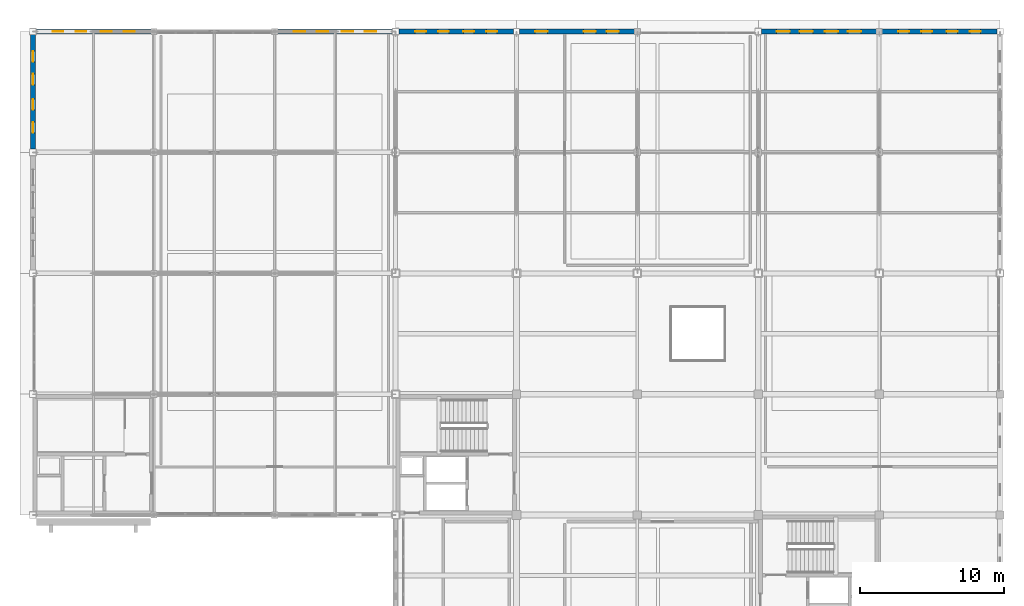
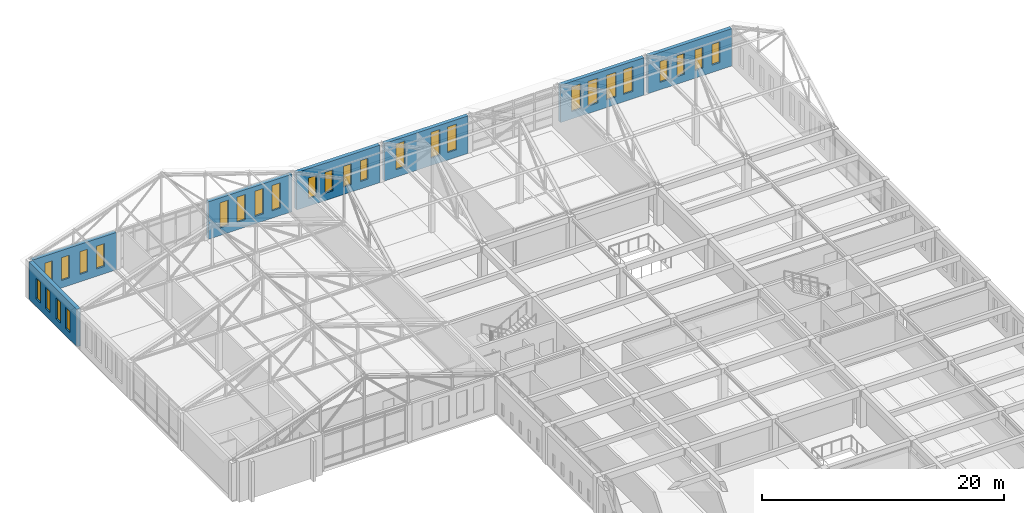
# One storey, part 49 of 56: 27 windows, 7 walls, 27 openings.
"""IFC4 building model written with IfcOpenShell, lengths in metres."""

from ifc_helpers import new_model, si_unit, direction, frame, frame_2d, origin, place, context, subcontext, project, spatial, rectangle, extrude, material, layer, layer_set, type_object, element, fill, save


model = new_model("IFC4")

# Units and contexts
model_context = context("Model", 3, precision=1e-05, world=origin(), true_north=direction((0.0, 1.0)))
body_context = subcontext(model_context, "Body", "Model", "MODEL_VIEW")
ifc_project = project(units=[si_unit("LENGTHUNIT", "METRE"), si_unit("AREAUNIT", "SQUARE_METRE"), si_unit("VOLUMEUNIT", "CUBIC_METRE"), si_unit("PLANEANGLEUNIT", "RADIAN"), si_unit("MASSUNIT", "GRAM", prefix="KILO")], contexts=[model_context])

# Site, building, storey
site_placement = place(None, origin())
site = spatial("IfcSite", under=ifc_project, at=site_placement, CompositionType="ELEMENT")
building_placement = place(site_placement, origin())
building = spatial("IfcBuilding", under=site, at=building_placement, Name="Kveldsbrygga Polytechnic", CompositionType="ELEMENT")
storey_placement = place(building_placement, frame((0.0, 0.0, 18.02001953125)))
storey = spatial("IfcBuildingStorey", under=building, at=storey_placement, Name="L04", CompositionType="ELEMENT", Elevation=18.02001953125)

# Wall, openings, windows
ifc_material_1 = material(Name="Fired clay brick masonry M10", Category="masonry")
ifc_layer = layer(ifc_material_1, 0.360107421875)
ifc_layer_set = layer_set([ifc_layer], Name="Fired clay brick masonry M10")
wall_type = type_object("IfcWallType", Name="EW-BRICK-360", PredefinedType="SOLIDWALL", material=ifc_layer_set)
wall_1_placement = place(storey_placement, frame((101.02490234375, 117.60009765625, 0.0), z_axis=(0.0, 0.0, 1.0), x_axis=(1.0, 0.0, 0.0)))
wall_1 = element("IfcWall", 1, at=wall_1_placement, inside=storey, type_object=wall_type, Name="Exterior Brick Wall EW-L04-X-12-14", PredefinedType="SOLIDWALL", context=body_context, shape_type="SweptSolid", body=[
    extrude(rectangle(XDim=7.97998046875, YDim=0.360107421875, at=frame_2d((3.989990234375, 0.0))), origin(), (0.0, 0.0, 1.0), 3.780029296875),
])
opening_1_placement = place(wall_1_placement, frame((1.146240234375, 0.0, 0.75)))
opening_1 = element("IfcOpeningElement", 2, at=opening_1_placement, cuts=wall_1, Name="Opening W-04", PredefinedType="OPENING", context=body_context, shape_type="SweptSolid", body=[
    extrude(rectangle(XDim=0.739990234375, YDim=2.300048828125, at=frame_2d((0.3701171875, 1.14990234375))), frame((0.0, 0.18994140625, 0.0), z_axis=(0.0, -1.0, 0.0), x_axis=(1.0, 0.0, 0.0)), (0.0, 0.0, 1.0), 0.380126953125),
])
opening_2_placement = place(wall_1_placement, frame((2.7421875, 0.0, 0.75)))
opening_2 = element("IfcOpeningElement", 3, at=opening_2_placement, cuts=wall_1, Name="Opening W-04", PredefinedType="OPENING", context=body_context, shape_type="SweptSolid", body=[
    extrude(rectangle(XDim=0.739990234375, YDim=2.300048828125, at=frame_2d((0.3701171875, 1.14990234375))), frame((0.0, 0.18994140625, 0.0), z_axis=(0.0, -1.0, 0.0), x_axis=(1.0, 0.0, 0.0)), (0.0, 0.0, 1.0), 0.380126953125),
])
opening_3_placement = place(wall_1_placement, frame((4.497802734375, 0.0, 0.75)))
opening_3 = element("IfcOpeningElement", 4, at=opening_3_placement, cuts=wall_1, Name="Opening W-04", PredefinedType="OPENING", context=body_context, shape_type="SweptSolid", body=[
    extrude(rectangle(XDim=0.739990234375, YDim=2.300048828125, at=frame_2d((0.3701171875, 1.14990234375))), frame((0.0, 0.18994140625, 0.0), z_axis=(0.0, -1.0, 0.0), x_axis=(1.0, 0.0, 0.0)), (0.0, 0.0, 1.0), 0.380126953125),
])
opening_4_placement = place(wall_1_placement, frame((6.09375, 0.0, 0.75)))
opening_4 = element("IfcOpeningElement", 5, at=opening_4_placement, cuts=wall_1, Name="Opening W-04", PredefinedType="OPENING", context=body_context, shape_type="SweptSolid", body=[
    extrude(rectangle(XDim=0.739990234375, YDim=2.300048828125, at=frame_2d((0.3701171875, 1.14990234375))), frame((0.0, 0.18994140625, 0.0), z_axis=(0.0, -1.0, 0.0), x_axis=(1.0, 0.0, 0.0)), (0.0, 0.0, 1.0), 0.380126953125),
])
ifc_material_2 = material(Name="Insulated triple low-E glass", Category="glass")
window_type_1 = type_object("IfcWindowType", Name="WN-LANC-074x230", PartitioningType="DOUBLE_PANEL_VERTICAL", PredefinedType="WINDOW", material=ifc_material_2)
window_1_placement = place(opening_1_placement, origin())
window_1 = element("IfcWindow", 6, at=window_1_placement, inside=storey, type_object=window_type_1, Name="Gothic Lancet Window WIN-L04-X-12-14-1", OverallHeight=2.300048828125, OverallWidth=0.739990234375, PartitioningType="DOUBLE_PANEL_VERTICAL", PredefinedType="WINDOW", context=body_context, shape_type="SweptSolid", body=[
    extrude(rectangle(XDim=0.739990234375, YDim=2.300048828125, at=frame_2d((0.3701171875, 1.14990234375))), frame((0.0, 0.030029296875, 0.0), z_axis=(0.0, -1.0, 0.0), x_axis=(1.0, 0.0, 0.0)), (0.0, 0.0, 1.0), 0.06005859375),
])
fill(opening_1, window_1)
window_2_placement = place(opening_2_placement, origin())
window_2 = element("IfcWindow", 7, at=window_2_placement, inside=storey, type_object=window_type_1, Name="Gothic Lancet Window WIN-L04-X-12-14-2", OverallHeight=2.300048828125, OverallWidth=0.739990234375, PartitioningType="DOUBLE_PANEL_VERTICAL", PredefinedType="WINDOW", context=body_context, shape_type="SweptSolid", body=[
    extrude(rectangle(XDim=0.739990234375, YDim=2.300048828125, at=frame_2d((0.3701171875, 1.14990234375))), frame((0.0, 0.030029296875, 0.0), z_axis=(0.0, -1.0, 0.0), x_axis=(1.0, 0.0, 0.0)), (0.0, 0.0, 1.0), 0.06005859375),
])
fill(opening_2, window_2)
window_3_placement = place(opening_3_placement, origin())
window_3 = element("IfcWindow", 8, at=window_3_placement, inside=storey, type_object=window_type_1, Name="Gothic Lancet Window WIN-L04-X-12-14-3", OverallHeight=2.300048828125, OverallWidth=0.739990234375, PartitioningType="DOUBLE_PANEL_VERTICAL", PredefinedType="WINDOW", context=body_context, shape_type="SweptSolid", body=[
    extrude(rectangle(XDim=0.739990234375, YDim=2.300048828125, at=frame_2d((0.3701171875, 1.14990234375))), frame((0.0, 0.030029296875, 0.0), z_axis=(0.0, -1.0, 0.0), x_axis=(1.0, 0.0, 0.0)), (0.0, 0.0, 1.0), 0.06005859375),
])
fill(opening_3, window_3)
window_4_placement = place(opening_4_placement, origin())
window_4 = element("IfcWindow", 9, at=window_4_placement, inside=storey, type_object=window_type_1, Name="Gothic Lancet Window WIN-L04-X-12-14-4", OverallHeight=2.300048828125, OverallWidth=0.739990234375, PartitioningType="DOUBLE_PANEL_VERTICAL", PredefinedType="WINDOW", context=body_context, shape_type="SweptSolid", body=[
    extrude(rectangle(XDim=0.739990234375, YDim=2.300048828125, at=frame_2d((0.3701171875, 1.14990234375))), frame((0.0, 0.030029296875, 0.0), z_axis=(0.0, -1.0, 0.0), x_axis=(1.0, 0.0, 0.0)), (0.0, 0.0, 1.0), 0.06005859375),
])
fill(opening_4, window_4)

wall_2_placement = place(storey_placement, frame((100.800048828125, 109.425048828125, 0.0), z_axis=(0.0, 0.0, 1.0), x_axis=(0.0, 1.0, 0.0)))
wall_2 = element("IfcWall", 10, at=wall_2_placement, inside=storey, type_object=wall_type, Name="Exterior Brick Wall EW-L04-Y-12-13", PredefinedType="SOLIDWALL", context=body_context, shape_type="SweptSolid", body=[
    extrude(rectangle(XDim=7.949951171875, YDim=0.360107421875, at=frame_2d((3.97509765625, 0.0))), origin(), (0.0, 0.0, 1.0), 3.780029296875),
])
opening_5_placement = place(wall_2_placement, frame((1.135498046875, 0.0, 0.75)))
opening_5 = element("IfcOpeningElement", 11, at=opening_5_placement, cuts=wall_2, Name="Opening W-27", PredefinedType="OPENING", context=body_context, shape_type="SweptSolid", body=[
    extrude(rectangle(XDim=0.75, YDim=2.10009765625, at=frame_2d((0.375, 1.050048828125))), frame((0.0, 0.18994140625, 0.0), z_axis=(0.0, -1.0, 0.0), x_axis=(1.0, 0.0, 0.0)), (0.0, 0.0, 1.0), 0.380126953125),
])
opening_6_placement = place(wall_2_placement, frame((2.7255859375, 0.0, 0.75)))
opening_6 = element("IfcOpeningElement", 12, at=opening_6_placement, cuts=wall_2, Name="Opening W-27", PredefinedType="OPENING", context=body_context, shape_type="SweptSolid", body=[
    extrude(rectangle(XDim=0.75, YDim=2.10009765625, at=frame_2d((0.375, 1.050048828125))), frame((0.0, 0.18994140625, 0.0), z_axis=(0.0, -1.0, 0.0), x_axis=(1.0, 0.0, 0.0)), (0.0, 0.0, 1.0), 0.380126953125),
])
opening_7_placement = place(wall_2_placement, frame((4.474609375, 0.0, 0.75)))
opening_7 = element("IfcOpeningElement", 13, at=opening_7_placement, cuts=wall_2, Name="Opening W-27", PredefinedType="OPENING", context=body_context, shape_type="SweptSolid", body=[
    extrude(rectangle(XDim=0.75, YDim=2.10009765625, at=frame_2d((0.375, 1.050048828125))), frame((0.0, 0.18994140625, 0.0), z_axis=(0.0, -1.0, 0.0), x_axis=(1.0, 0.0, 0.0)), (0.0, 0.0, 1.0), 0.380126953125),
])
opening_8_placement = place(wall_2_placement, frame((6.064453125, 0.0, 0.75)))
opening_8 = element("IfcOpeningElement", 14, at=opening_8_placement, cuts=wall_2, Name="Opening W-27", PredefinedType="OPENING", context=body_context, shape_type="SweptSolid", body=[
    extrude(rectangle(XDim=0.75, YDim=2.10009765625, at=frame_2d((0.375, 1.050048828125))), frame((0.0, 0.18994140625, 0.0), z_axis=(0.0, -1.0, 0.0), x_axis=(1.0, 0.0, 0.0)), (0.0, 0.0, 1.0), 0.380126953125),
])
window_type_2 = type_object("IfcWindowType", Name="WN-ATTIC-075x210", PartitioningType="DOUBLE_PANEL_VERTICAL", PredefinedType="WINDOW", material=ifc_material_2)
window_5_placement = place(opening_5_placement, origin())
window_5 = element("IfcWindow", 15, at=window_5_placement, inside=storey, type_object=window_type_2, Name="Gothic Lancet Window WIN-L04-Y-12-13-1", OverallHeight=2.10009765625, OverallWidth=0.75, PartitioningType="DOUBLE_PANEL_VERTICAL", PredefinedType="WINDOW", context=body_context, shape_type="SweptSolid", body=[
    extrude(rectangle(XDim=0.75, YDim=2.10009765625, at=frame_2d((0.375, 1.050048828125))), frame((0.0, 0.030029296875, 0.0), z_axis=(0.0, -1.0, 0.0), x_axis=(1.0, 0.0, 0.0)), (0.0, 0.0, 1.0), 0.06005859375),
])
fill(opening_5, window_5)
window_6_placement = place(opening_6_placement, origin())
window_6 = element("IfcWindow", 16, at=window_6_placement, inside=storey, type_object=window_type_2, Name="Gothic Lancet Window WIN-L04-Y-12-13-2", OverallHeight=2.10009765625, OverallWidth=0.75, PartitioningType="DOUBLE_PANEL_VERTICAL", PredefinedType="WINDOW", context=body_context, shape_type="SweptSolid", body=[
    extrude(rectangle(XDim=0.75, YDim=2.10009765625, at=frame_2d((0.375, 1.050048828125))), frame((0.0, 0.030029296875, 0.0), z_axis=(0.0, -1.0, 0.0), x_axis=(1.0, 0.0, 0.0)), (0.0, 0.0, 1.0), 0.06005859375),
])
fill(opening_6, window_6)
window_7_placement = place(opening_7_placement, origin())
window_7 = element("IfcWindow", 17, at=window_7_placement, inside=storey, type_object=window_type_2, Name="Gothic Lancet Window WIN-L04-Y-12-13-3", OverallHeight=2.10009765625, OverallWidth=0.75, PartitioningType="DOUBLE_PANEL_VERTICAL", PredefinedType="WINDOW", context=body_context, shape_type="SweptSolid", body=[
    extrude(rectangle(XDim=0.75, YDim=2.10009765625, at=frame_2d((0.375, 1.050048828125))), frame((0.0, 0.030029296875, 0.0), z_axis=(0.0, -1.0, 0.0), x_axis=(1.0, 0.0, 0.0)), (0.0, 0.0, 1.0), 0.06005859375),
])
fill(opening_7, window_7)
window_8_placement = place(opening_8_placement, origin())
window_8 = element("IfcWindow", 18, at=window_8_placement, inside=storey, type_object=window_type_2, Name="Gothic Lancet Window WIN-L04-Y-12-13-4", OverallHeight=2.10009765625, OverallWidth=0.75, PartitioningType="DOUBLE_PANEL_VERTICAL", PredefinedType="WINDOW", context=body_context, shape_type="SweptSolid", body=[
    extrude(rectangle(XDim=0.75, YDim=2.10009765625, at=frame_2d((0.375, 1.050048828125))), frame((0.0, 0.030029296875, 0.0), z_axis=(0.0, -1.0, 0.0), x_axis=(1.0, 0.0, 0.0)), (0.0, 0.0, 1.0), 0.06005859375),
])
fill(opening_8, window_8)

wall_3_placement = place(storey_placement, frame((117.81005859375, 117.60009765625, 0.0), z_axis=(0.0, 0.0, 1.0), x_axis=(1.0, 0.0, 0.0)))
wall_3 = element("IfcWall", 19, at=wall_3_placement, inside=storey, type_object=wall_type, Name="Exterior Brick Wall EW-L04-X-14-14", PredefinedType="SOLIDWALL", context=body_context, shape_type="SweptSolid", body=[
    extrude(rectangle(XDim=7.96484375, YDim=0.360107421875, at=frame_2d((3.982421875, 0.0))), origin(), (0.0, 0.0, 1.0), 3.780029296875),
])
opening_9_placement = place(wall_3_placement, frame((1.11328125, 0.0, 0.75)))
opening_9 = element("IfcOpeningElement", 20, at=opening_9_placement, cuts=wall_3, Name="Opening W-10", PredefinedType="OPENING", context=body_context, shape_type="SweptSolid", body=[
    extrude(rectangle(XDim=0.800048828125, YDim=2.550048828125, at=frame_2d((0.39990234375, 1.27490234375))), frame((0.0, 0.18994140625, 0.0), z_axis=(0.0, -1.0, 0.0), x_axis=(1.0, 0.0, 0.0)), (0.0, 0.0, 1.0), 0.380126953125),
])
opening_10_placement = place(wall_3_placement, frame((2.706298828125, 0.0, 0.75)))
opening_10 = element("IfcOpeningElement", 21, at=opening_10_placement, cuts=wall_3, Name="Opening W-10", PredefinedType="OPENING", context=body_context, shape_type="SweptSolid", body=[
    extrude(rectangle(XDim=0.800048828125, YDim=2.550048828125, at=frame_2d((0.39990234375, 1.27490234375))), frame((0.0, 0.18994140625, 0.0), z_axis=(0.0, -1.0, 0.0), x_axis=(1.0, 0.0, 0.0)), (0.0, 0.0, 1.0), 0.380126953125),
])
opening_11_placement = place(wall_3_placement, frame((4.458740234375, 0.0, 0.75)))
opening_11 = element("IfcOpeningElement", 22, at=opening_11_placement, cuts=wall_3, Name="Opening W-10", PredefinedType="OPENING", context=body_context, shape_type="SweptSolid", body=[
    extrude(rectangle(XDim=0.800048828125, YDim=2.550048828125, at=frame_2d((0.39990234375, 1.27490234375))), frame((0.0, 0.18994140625, 0.0), z_axis=(0.0, -1.0, 0.0), x_axis=(1.0, 0.0, 0.0)), (0.0, 0.0, 1.0), 0.380126953125),
])
opening_12_placement = place(wall_3_placement, frame((6.0517578125, 0.0, 0.75)))
opening_12 = element("IfcOpeningElement", 23, at=opening_12_placement, cuts=wall_3, Name="Opening W-10", PredefinedType="OPENING", context=body_context, shape_type="SweptSolid", body=[
    extrude(rectangle(XDim=0.800048828125, YDim=2.550048828125, at=frame_2d((0.39990234375, 1.27490234375))), frame((0.0, 0.18994140625, 0.0), z_axis=(0.0, -1.0, 0.0), x_axis=(1.0, 0.0, 0.0)), (0.0, 0.0, 1.0), 0.380126953125),
])
window_type_3 = type_object("IfcWindowType", Name="WN-LANC-080x255", PartitioningType="DOUBLE_PANEL_VERTICAL", PredefinedType="WINDOW", material=ifc_material_2)
window_9_placement = place(opening_9_placement, origin())
window_9 = element("IfcWindow", 24, at=window_9_placement, inside=storey, type_object=window_type_3, Name="Gothic Lancet Window WIN-L04-X-14-14-1", OverallHeight=2.550048828125, OverallWidth=0.800048828125, PartitioningType="DOUBLE_PANEL_VERTICAL", PredefinedType="WINDOW", context=body_context, shape_type="SweptSolid", body=[
    extrude(rectangle(XDim=0.800048828125, YDim=2.550048828125, at=frame_2d((0.39990234375, 1.27490234375))), frame((0.0, 0.030029296875, 0.0), z_axis=(0.0, -1.0, 0.0), x_axis=(1.0, 0.0, 0.0)), (0.0, 0.0, 1.0), 0.06005859375),
])
fill(opening_9, window_9)
window_10_placement = place(opening_10_placement, origin())
window_10 = element("IfcWindow", 25, at=window_10_placement, inside=storey, type_object=window_type_3, Name="Gothic Lancet Window WIN-L04-X-14-14-2", OverallHeight=2.550048828125, OverallWidth=0.800048828125, PartitioningType="DOUBLE_PANEL_VERTICAL", PredefinedType="WINDOW", context=body_context, shape_type="SweptSolid", body=[
    extrude(rectangle(XDim=0.800048828125, YDim=2.550048828125, at=frame_2d((0.39990234375, 1.27490234375))), frame((0.0, 0.030029296875, 0.0), z_axis=(0.0, -1.0, 0.0), x_axis=(1.0, 0.0, 0.0)), (0.0, 0.0, 1.0), 0.06005859375),
])
fill(opening_10, window_10)
window_11_placement = place(opening_11_placement, origin())
window_11 = element("IfcWindow", 26, at=window_11_placement, inside=storey, type_object=window_type_3, Name="Gothic Lancet Window WIN-L04-X-14-14-3", OverallHeight=2.550048828125, OverallWidth=0.800048828125, PartitioningType="DOUBLE_PANEL_VERTICAL", PredefinedType="WINDOW", context=body_context, shape_type="SweptSolid", body=[
    extrude(rectangle(XDim=0.800048828125, YDim=2.550048828125, at=frame_2d((0.39990234375, 1.27490234375))), frame((0.0, 0.030029296875, 0.0), z_axis=(0.0, -1.0, 0.0), x_axis=(1.0, 0.0, 0.0)), (0.0, 0.0, 1.0), 0.06005859375),
])
fill(opening_11, window_11)
window_12_placement = place(opening_12_placement, origin())
window_12 = element("IfcWindow", 27, at=window_12_placement, inside=storey, type_object=window_type_3, Name="Gothic Lancet Window WIN-L04-X-14-14-4", OverallHeight=2.550048828125, OverallWidth=0.800048828125, PartitioningType="DOUBLE_PANEL_VERTICAL", PredefinedType="WINDOW", context=body_context, shape_type="SweptSolid", body=[
    extrude(rectangle(XDim=0.800048828125, YDim=2.550048828125, at=frame_2d((0.39990234375, 1.27490234375))), frame((0.0, 0.030029296875, 0.0), z_axis=(0.0, -1.0, 0.0), x_axis=(1.0, 0.0, 0.0)), (0.0, 0.0, 1.0), 0.06005859375),
])
fill(opening_12, window_12)

wall_4_placement = place(storey_placement, frame((126.22509765625, 117.60009765625, 0.0), z_axis=(0.0, 0.0, 1.0), x_axis=(1.0, 0.0, 0.0)))
wall_4 = element("IfcWall", 28, at=wall_4_placement, inside=storey, type_object=wall_type, Name="Exterior Brick Wall EW-L04-X-15-14", PredefinedType="SOLIDWALL", context=body_context, shape_type="SweptSolid", body=[
    extrude(rectangle(XDim=7.96484375, YDim=0.360107421875, at=frame_2d((3.982421875, 0.0))), origin(), (0.0, 0.0, 1.0), 3.780029296875),
])
opening_13_placement = place(wall_4_placement, frame((1.138427734375, 0.0, 0.75)))
opening_13 = element("IfcOpeningElement", 29, at=opening_13_placement, cuts=wall_4, Name="Opening W-27", PredefinedType="OPENING", context=body_context, shape_type="SweptSolid", body=[
    extrude(rectangle(XDim=0.75, YDim=2.10009765625, at=frame_2d((0.375, 1.050048828125))), frame((0.0, 0.18994140625, 0.0), z_axis=(0.0, -1.0, 0.0), x_axis=(1.0, 0.0, 0.0)), (0.0, 0.0, 1.0), 0.380126953125),
])
opening_14_placement = place(wall_4_placement, frame((2.7314453125, 0.0, 0.75)))
opening_14 = element("IfcOpeningElement", 30, at=opening_14_placement, cuts=wall_4, Name="Opening W-27", PredefinedType="OPENING", context=body_context, shape_type="SweptSolid", body=[
    extrude(rectangle(XDim=0.75, YDim=2.10009765625, at=frame_2d((0.375, 1.050048828125))), frame((0.0, 0.18994140625, 0.0), z_axis=(0.0, -1.0, 0.0), x_axis=(1.0, 0.0, 0.0)), (0.0, 0.0, 1.0), 0.380126953125),
])
opening_15_placement = place(wall_4_placement, frame((4.483642578125, 0.0, 0.75)))
opening_15 = element("IfcOpeningElement", 31, at=opening_15_placement, cuts=wall_4, Name="Opening W-27", PredefinedType="OPENING", context=body_context, shape_type="SweptSolid", body=[
    extrude(rectangle(XDim=0.75, YDim=2.10009765625, at=frame_2d((0.375, 1.050048828125))), frame((0.0, 0.18994140625, 0.0), z_axis=(0.0, -1.0, 0.0), x_axis=(1.0, 0.0, 0.0)), (0.0, 0.0, 1.0), 0.380126953125),
])
opening_16_placement = place(wall_4_placement, frame((6.07666015625, 0.0, 0.75)))
opening_16 = element("IfcOpeningElement", 32, at=opening_16_placement, cuts=wall_4, Name="Opening W-27", PredefinedType="OPENING", context=body_context, shape_type="SweptSolid", body=[
    extrude(rectangle(XDim=0.75, YDim=2.10009765625, at=frame_2d((0.375, 1.050048828125))), frame((0.0, 0.18994140625, 0.0), z_axis=(0.0, -1.0, 0.0), x_axis=(1.0, 0.0, 0.0)), (0.0, 0.0, 1.0), 0.380126953125),
])
window_13_placement = place(opening_13_placement, origin())
window_13 = element("IfcWindow", 33, at=window_13_placement, inside=storey, type_object=window_type_2, Name="Gothic Lancet Window WIN-L04-X-15-14-1", OverallHeight=2.10009765625, OverallWidth=0.75, PartitioningType="DOUBLE_PANEL_VERTICAL", PredefinedType="WINDOW", context=body_context, shape_type="SweptSolid", body=[
    extrude(rectangle(XDim=0.75, YDim=2.10009765625, at=frame_2d((0.375, 1.050048828125))), frame((0.0, 0.030029296875, 0.0), z_axis=(0.0, -1.0, 0.0), x_axis=(1.0, 0.0, 0.0)), (0.0, 0.0, 1.0), 0.06005859375),
])
fill(opening_13, window_13)
window_14_placement = place(opening_14_placement, origin())
window_14 = element("IfcWindow", 34, at=window_14_placement, inside=storey, type_object=window_type_2, Name="Gothic Lancet Window WIN-L04-X-15-14-2", OverallHeight=2.10009765625, OverallWidth=0.75, PartitioningType="DOUBLE_PANEL_VERTICAL", PredefinedType="WINDOW", context=body_context, shape_type="SweptSolid", body=[
    extrude(rectangle(XDim=0.75, YDim=2.10009765625, at=frame_2d((0.375, 1.050048828125))), frame((0.0, 0.030029296875, 0.0), z_axis=(0.0, -1.0, 0.0), x_axis=(1.0, 0.0, 0.0)), (0.0, 0.0, 1.0), 0.06005859375),
])
fill(opening_14, window_14)
window_15_placement = place(opening_15_placement, origin())
window_15 = element("IfcWindow", 35, at=window_15_placement, inside=storey, type_object=window_type_2, Name="Gothic Lancet Window WIN-L04-X-15-14-3", OverallHeight=2.10009765625, OverallWidth=0.75, PartitioningType="DOUBLE_PANEL_VERTICAL", PredefinedType="WINDOW", context=body_context, shape_type="SweptSolid", body=[
    extrude(rectangle(XDim=0.75, YDim=2.10009765625, at=frame_2d((0.375, 1.050048828125))), frame((0.0, 0.030029296875, 0.0), z_axis=(0.0, -1.0, 0.0), x_axis=(1.0, 0.0, 0.0)), (0.0, 0.0, 1.0), 0.06005859375),
])
fill(opening_15, window_15)
window_16_placement = place(opening_16_placement, origin())
window_16 = element("IfcWindow", 36, at=window_16_placement, inside=storey, type_object=window_type_2, Name="Gothic Lancet Window WIN-L04-X-15-14-4", OverallHeight=2.10009765625, OverallWidth=0.75, PartitioningType="DOUBLE_PANEL_VERTICAL", PredefinedType="WINDOW", context=body_context, shape_type="SweptSolid", body=[
    extrude(rectangle(XDim=0.75, YDim=2.10009765625, at=frame_2d((0.375, 1.050048828125))), frame((0.0, 0.030029296875, 0.0), z_axis=(0.0, -1.0, 0.0), x_axis=(1.0, 0.0, 0.0)), (0.0, 0.0, 1.0), 0.06005859375),
])
fill(opening_16, window_16)

wall_5_placement = place(storey_placement, frame((134.610107421875, 117.60009765625, 0.0), z_axis=(0.0, 0.0, 1.0), x_axis=(1.0, 0.0, 0.0)))
wall_5 = element("IfcWall", 37, at=wall_5_placement, inside=storey, type_object=wall_type, Name="Exterior Brick Wall EW-L04-X-16-14", PredefinedType="SOLIDWALL", context=body_context, shape_type="SweptSolid", body=[
    extrude(rectangle(XDim=7.994873046875, YDim=0.360107421875, at=frame_2d((3.99755859375, 0.0))), origin(), (0.0, 0.0, 1.0), 3.780029296875),
])
opening_17_placement = place(wall_5_placement, frame((1.089111328125, 0.0, 0.75)))
opening_17 = element("IfcOpeningElement", 38, at=opening_17_placement, cuts=wall_5, Name="Opening W-16", PredefinedType="OPENING", context=body_context, shape_type="SweptSolid", body=[
    extrude(rectangle(XDim=0.860107421875, YDim=2.60009765625, at=frame_2d((0.43017578125, 1.300048828125))), frame((0.0, 0.18994140625, 0.0), z_axis=(0.0, -1.0, 0.0), x_axis=(1.0, 0.0, 0.0)), (0.0, 0.0, 1.0), 0.380126953125),
])
opening_18_placement = place(wall_5_placement, frame((4.447021484375, 0.0, 0.75)))
opening_18 = element("IfcOpeningElement", 39, at=opening_18_placement, cuts=wall_5, Name="Opening W-16", PredefinedType="OPENING", context=body_context, shape_type="SweptSolid", body=[
    extrude(rectangle(XDim=0.860107421875, YDim=2.60009765625, at=frame_2d((0.43017578125, 1.300048828125))), frame((0.0, 0.18994140625, 0.0), z_axis=(0.0, -1.0, 0.0), x_axis=(1.0, 0.0, 0.0)), (0.0, 0.0, 1.0), 0.380126953125),
])
opening_19_placement = place(wall_5_placement, frame((6.0458984375, 0.0, 0.75)))
opening_19 = element("IfcOpeningElement", 40, at=opening_19_placement, cuts=wall_5, Name="Opening W-16", PredefinedType="OPENING", context=body_context, shape_type="SweptSolid", body=[
    extrude(rectangle(XDim=0.860107421875, YDim=2.60009765625, at=frame_2d((0.43017578125, 1.300048828125))), frame((0.0, 0.18994140625, 0.0), z_axis=(0.0, -1.0, 0.0), x_axis=(1.0, 0.0, 0.0)), (0.0, 0.0, 1.0), 0.380126953125),
])
window_type_4 = type_object("IfcWindowType", Name="WN-LANC-086x260", PartitioningType="DOUBLE_PANEL_VERTICAL", PredefinedType="WINDOW", material=ifc_material_2)
window_17_placement = place(opening_17_placement, origin())
window_17 = element("IfcWindow", 41, at=window_17_placement, inside=storey, type_object=window_type_4, Name="Gothic Lancet Window WIN-L04-X-16-14-1", OverallHeight=2.60009765625, OverallWidth=0.860107421875, PartitioningType="DOUBLE_PANEL_VERTICAL", PredefinedType="WINDOW", context=body_context, shape_type="SweptSolid", body=[
    extrude(rectangle(XDim=0.860107421875, YDim=2.60009765625, at=frame_2d((0.43017578125, 1.300048828125))), frame((0.0, 0.030029296875, 0.0), z_axis=(0.0, -1.0, 0.0), x_axis=(1.0, 0.0, 0.0)), (0.0, 0.0, 1.0), 0.06005859375),
])
fill(opening_17, window_17)
window_18_placement = place(opening_18_placement, origin())
window_18 = element("IfcWindow", 42, at=window_18_placement, inside=storey, type_object=window_type_4, Name="Gothic Lancet Window WIN-L04-X-16-14-3", OverallHeight=2.60009765625, OverallWidth=0.860107421875, PartitioningType="DOUBLE_PANEL_VERTICAL", PredefinedType="WINDOW", context=body_context, shape_type="SweptSolid", body=[
    extrude(rectangle(XDim=0.860107421875, YDim=2.60009765625, at=frame_2d((0.43017578125, 1.300048828125))), frame((0.0, 0.030029296875, 0.0), z_axis=(0.0, -1.0, 0.0), x_axis=(1.0, 0.0, 0.0)), (0.0, 0.0, 1.0), 0.06005859375),
])
fill(opening_18, window_18)
window_19_placement = place(opening_19_placement, origin())
window_19 = element("IfcWindow", 43, at=window_19_placement, inside=storey, type_object=window_type_4, Name="Gothic Lancet Window WIN-L04-X-16-14-4", OverallHeight=2.60009765625, OverallWidth=0.860107421875, PartitioningType="DOUBLE_PANEL_VERTICAL", PredefinedType="WINDOW", context=body_context, shape_type="SweptSolid", body=[
    extrude(rectangle(XDim=0.860107421875, YDim=2.60009765625, at=frame_2d((0.43017578125, 1.300048828125))), frame((0.0, 0.030029296875, 0.0), z_axis=(0.0, -1.0, 0.0), x_axis=(1.0, 0.0, 0.0)), (0.0, 0.0, 1.0), 0.06005859375),
])
fill(opening_19, window_19)

wall_6_placement = place(storey_placement, frame((151.425048828125, 117.60009765625, 0.0), z_axis=(0.0, 0.0, 1.0), x_axis=(1.0, 0.0, 0.0)))
wall_6 = element("IfcWall", 44, at=wall_6_placement, inside=storey, type_object=wall_type, Name="Exterior Brick Wall EW-L04-X-18-14", PredefinedType="SOLIDWALL", context=body_context, shape_type="SweptSolid", body=[
    extrude(rectangle(XDim=7.97998046875, YDim=0.360107421875, at=frame_2d((3.989990234375, 0.0))), origin(), (0.0, 0.0, 1.0), 3.780029296875),
])
opening_20_placement = place(wall_6_placement, frame((1.05615234375, 0.0, 0.75)))
opening_20 = element("IfcOpeningElement", 45, at=opening_20_placement, cuts=wall_6, Name="Opening W-22", PredefinedType="OPENING", context=body_context, shape_type="SweptSolid", body=[
    extrude(rectangle(XDim=0.919921875, YDim=2.5, at=frame_2d((0.4599609375, 1.25))), frame((0.0, 0.18994140625, 0.0), z_axis=(0.0, -1.0, 0.0), x_axis=(1.0, 0.0, 0.0)), (0.0, 0.0, 1.0), 0.380126953125),
])
opening_21_placement = place(wall_6_placement, frame((2.652099609375, 0.0, 0.75)))
opening_21 = element("IfcOpeningElement", 46, at=opening_21_placement, cuts=wall_6, Name="Opening W-22", PredefinedType="OPENING", context=body_context, shape_type="SweptSolid", body=[
    extrude(rectangle(XDim=0.919921875, YDim=2.5, at=frame_2d((0.4599609375, 1.25))), frame((0.0, 0.18994140625, 0.0), z_axis=(0.0, -1.0, 0.0), x_axis=(1.0, 0.0, 0.0)), (0.0, 0.0, 1.0), 0.380126953125),
])
opening_22_placement = place(wall_6_placement, frame((4.40771484375, 0.0, 0.75)))
opening_22 = element("IfcOpeningElement", 47, at=opening_22_placement, cuts=wall_6, Name="Opening W-22", PredefinedType="OPENING", context=body_context, shape_type="SweptSolid", body=[
    extrude(rectangle(XDim=0.919921875, YDim=2.5, at=frame_2d((0.4599609375, 1.25))), frame((0.0, 0.18994140625, 0.0), z_axis=(0.0, -1.0, 0.0), x_axis=(1.0, 0.0, 0.0)), (0.0, 0.0, 1.0), 0.380126953125),
])
opening_23_placement = place(wall_6_placement, frame((6.00390625, 0.0, 0.75)))
opening_23 = element("IfcOpeningElement", 48, at=opening_23_placement, cuts=wall_6, Name="Opening W-22", PredefinedType="OPENING", context=body_context, shape_type="SweptSolid", body=[
    extrude(rectangle(XDim=0.919921875, YDim=2.5, at=frame_2d((0.4599609375, 1.25))), frame((0.0, 0.18994140625, 0.0), z_axis=(0.0, -1.0, 0.0), x_axis=(1.0, 0.0, 0.0)), (0.0, 0.0, 1.0), 0.380126953125),
])
window_type_5 = type_object("IfcWindowType", Name="WN-LANC-092x250", PartitioningType="DOUBLE_PANEL_VERTICAL", PredefinedType="WINDOW", material=ifc_material_2)
window_20_placement = place(opening_20_placement, origin())
window_20 = element("IfcWindow", 49, at=window_20_placement, inside=storey, type_object=window_type_5, Name="Gothic Lancet Window WIN-L04-X-18-14-1", OverallHeight=2.5, OverallWidth=0.919921875, PartitioningType="DOUBLE_PANEL_VERTICAL", PredefinedType="WINDOW", context=body_context, shape_type="SweptSolid", body=[
    extrude(rectangle(XDim=0.919921875, YDim=2.5, at=frame_2d((0.4599609375, 1.25))), frame((0.0, 0.030029296875, 0.0), z_axis=(0.0, -1.0, 0.0), x_axis=(1.0, 0.0, 0.0)), (0.0, 0.0, 1.0), 0.06005859375),
])
fill(opening_20, window_20)
window_21_placement = place(opening_21_placement, origin())
window_21 = element("IfcWindow", 50, at=window_21_placement, inside=storey, type_object=window_type_5, Name="Gothic Lancet Window WIN-L04-X-18-14-2", OverallHeight=2.5, OverallWidth=0.919921875, PartitioningType="DOUBLE_PANEL_VERTICAL", PredefinedType="WINDOW", context=body_context, shape_type="SweptSolid", body=[
    extrude(rectangle(XDim=0.919921875, YDim=2.5, at=frame_2d((0.4599609375, 1.25))), frame((0.0, 0.030029296875, 0.0), z_axis=(0.0, -1.0, 0.0), x_axis=(1.0, 0.0, 0.0)), (0.0, 0.0, 1.0), 0.06005859375),
])
fill(opening_21, window_21)
window_22_placement = place(opening_22_placement, origin())
window_22 = element("IfcWindow", 51, at=window_22_placement, inside=storey, type_object=window_type_5, Name="Gothic Lancet Window WIN-L04-X-18-14-3", OverallHeight=2.5, OverallWidth=0.919921875, PartitioningType="DOUBLE_PANEL_VERTICAL", PredefinedType="WINDOW", context=body_context, shape_type="SweptSolid", body=[
    extrude(rectangle(XDim=0.919921875, YDim=2.5, at=frame_2d((0.4599609375, 1.25))), frame((0.0, 0.030029296875, 0.0), z_axis=(0.0, -1.0, 0.0), x_axis=(1.0, 0.0, 0.0)), (0.0, 0.0, 1.0), 0.06005859375),
])
fill(opening_22, window_22)
window_23_placement = place(opening_23_placement, origin())
window_23 = element("IfcWindow", 52, at=window_23_placement, inside=storey, type_object=window_type_5, Name="Gothic Lancet Window WIN-L04-X-18-14-4", OverallHeight=2.5, OverallWidth=0.919921875, PartitioningType="DOUBLE_PANEL_VERTICAL", PredefinedType="WINDOW", context=body_context, shape_type="SweptSolid", body=[
    extrude(rectangle(XDim=0.919921875, YDim=2.5, at=frame_2d((0.4599609375, 1.25))), frame((0.0, 0.030029296875, 0.0), z_axis=(0.0, -1.0, 0.0), x_axis=(1.0, 0.0, 0.0)), (0.0, 0.0, 1.0), 0.06005859375),
])
fill(opening_23, window_23)

wall_7_placement = place(storey_placement, frame((159.794921875, 117.60009765625, 0.0), z_axis=(0.0, 0.0, 1.0), x_axis=(1.0, 0.0, 0.0)))
wall_7 = element("IfcWall", 53, at=wall_7_placement, inside=storey, type_object=wall_type, Name="Exterior Brick Wall EW-L04-X-19-14", PredefinedType="SOLIDWALL", context=body_context, shape_type="SweptSolid", body=[
    extrude(rectangle(XDim=7.9951171875, YDim=0.360107421875, at=frame_2d((3.99755859375, 0.0))), origin(), (0.0, 0.0, 1.0), 3.780029296875),
])
opening_24_placement = place(wall_7_placement, frame((1.14404296875, 0.0, 0.75)))
opening_24 = element("IfcOpeningElement", 54, at=opening_24_placement, cuts=wall_7, Name="Opening W-27", PredefinedType="OPENING", context=body_context, shape_type="SweptSolid", body=[
    extrude(rectangle(XDim=0.75, YDim=2.10009765625, at=frame_2d((0.375, 1.050048828125))), frame((0.0, 0.18994140625, 0.0), z_axis=(0.0, -1.0, 0.0), x_axis=(1.0, 0.0, 0.0)), (0.0, 0.0, 1.0), 0.380126953125),
])
opening_25_placement = place(wall_7_placement, frame((2.7431640625, 0.0, 0.75)))
opening_25 = element("IfcOpeningElement", 55, at=opening_25_placement, cuts=wall_7, Name="Opening W-27", PredefinedType="OPENING", context=body_context, shape_type="SweptSolid", body=[
    extrude(rectangle(XDim=0.75, YDim=2.10009765625, at=frame_2d((0.375, 1.050048828125))), frame((0.0, 0.18994140625, 0.0), z_axis=(0.0, -1.0, 0.0), x_axis=(1.0, 0.0, 0.0)), (0.0, 0.0, 1.0), 0.380126953125),
])
opening_26_placement = place(wall_7_placement, frame((4.501953125, 0.0, 0.75)))
opening_26 = element("IfcOpeningElement", 56, at=opening_26_placement, cuts=wall_7, Name="Opening W-27", PredefinedType="OPENING", context=body_context, shape_type="SweptSolid", body=[
    extrude(rectangle(XDim=0.75, YDim=2.10009765625, at=frame_2d((0.375, 1.050048828125))), frame((0.0, 0.18994140625, 0.0), z_axis=(0.0, -1.0, 0.0), x_axis=(1.0, 0.0, 0.0)), (0.0, 0.0, 1.0), 0.380126953125),
])
opening_27_placement = place(wall_7_placement, frame((6.100830078125, 0.0, 0.75)))
opening_27 = element("IfcOpeningElement", 57, at=opening_27_placement, cuts=wall_7, Name="Opening W-27", PredefinedType="OPENING", context=body_context, shape_type="SweptSolid", body=[
    extrude(rectangle(XDim=0.75, YDim=2.10009765625, at=frame_2d((0.375, 1.050048828125))), frame((0.0, 0.18994140625, 0.0), z_axis=(0.0, -1.0, 0.0), x_axis=(1.0, 0.0, 0.0)), (0.0, 0.0, 1.0), 0.380126953125),
])
window_24_placement = place(opening_24_placement, origin())
window_24 = element("IfcWindow", 58, at=window_24_placement, inside=storey, type_object=window_type_2, Name="Gothic Lancet Window WIN-L04-X-19-14-1", OverallHeight=2.10009765625, OverallWidth=0.75, PartitioningType="DOUBLE_PANEL_VERTICAL", PredefinedType="WINDOW", context=body_context, shape_type="SweptSolid", body=[
    extrude(rectangle(XDim=0.75, YDim=2.10009765625, at=frame_2d((0.375, 1.050048828125))), frame((0.0, 0.030029296875, 0.0), z_axis=(0.0, -1.0, 0.0), x_axis=(1.0, 0.0, 0.0)), (0.0, 0.0, 1.0), 0.06005859375),
])
fill(opening_24, window_24)
window_25_placement = place(opening_25_placement, origin())
window_25 = element("IfcWindow", 59, at=window_25_placement, inside=storey, type_object=window_type_2, Name="Gothic Lancet Window WIN-L04-X-19-14-2", OverallHeight=2.10009765625, OverallWidth=0.75, PartitioningType="DOUBLE_PANEL_VERTICAL", PredefinedType="WINDOW", context=body_context, shape_type="SweptSolid", body=[
    extrude(rectangle(XDim=0.75, YDim=2.10009765625, at=frame_2d((0.375, 1.050048828125))), frame((0.0, 0.030029296875, 0.0), z_axis=(0.0, -1.0, 0.0), x_axis=(1.0, 0.0, 0.0)), (0.0, 0.0, 1.0), 0.06005859375),
])
fill(opening_25, window_25)
window_26_placement = place(opening_26_placement, origin())
window_26 = element("IfcWindow", 60, at=window_26_placement, inside=storey, type_object=window_type_2, Name="Gothic Lancet Window WIN-L04-X-19-14-3", OverallHeight=2.10009765625, OverallWidth=0.75, PartitioningType="DOUBLE_PANEL_VERTICAL", PredefinedType="WINDOW", context=body_context, shape_type="SweptSolid", body=[
    extrude(rectangle(XDim=0.75, YDim=2.10009765625, at=frame_2d((0.375, 1.050048828125))), frame((0.0, 0.030029296875, 0.0), z_axis=(0.0, -1.0, 0.0), x_axis=(1.0, 0.0, 0.0)), (0.0, 0.0, 1.0), 0.06005859375),
])
fill(opening_26, window_26)
window_27_placement = place(opening_27_placement, origin())
window_27 = element("IfcWindow", 61, at=window_27_placement, inside=storey, type_object=window_type_2, Name="Gothic Lancet Window WIN-L04-X-19-14-4", OverallHeight=2.10009765625, OverallWidth=0.75, PartitioningType="DOUBLE_PANEL_VERTICAL", PredefinedType="WINDOW", context=body_context, shape_type="SweptSolid", body=[
    extrude(rectangle(XDim=0.75, YDim=2.10009765625, at=frame_2d((0.375, 1.050048828125))), frame((0.0, 0.030029296875, 0.0), z_axis=(0.0, -1.0, 0.0), x_axis=(1.0, 0.0, 0.0)), (0.0, 0.0, 1.0), 0.06005859375),
])
fill(opening_27, window_27)

save(model, "model.ifc")
